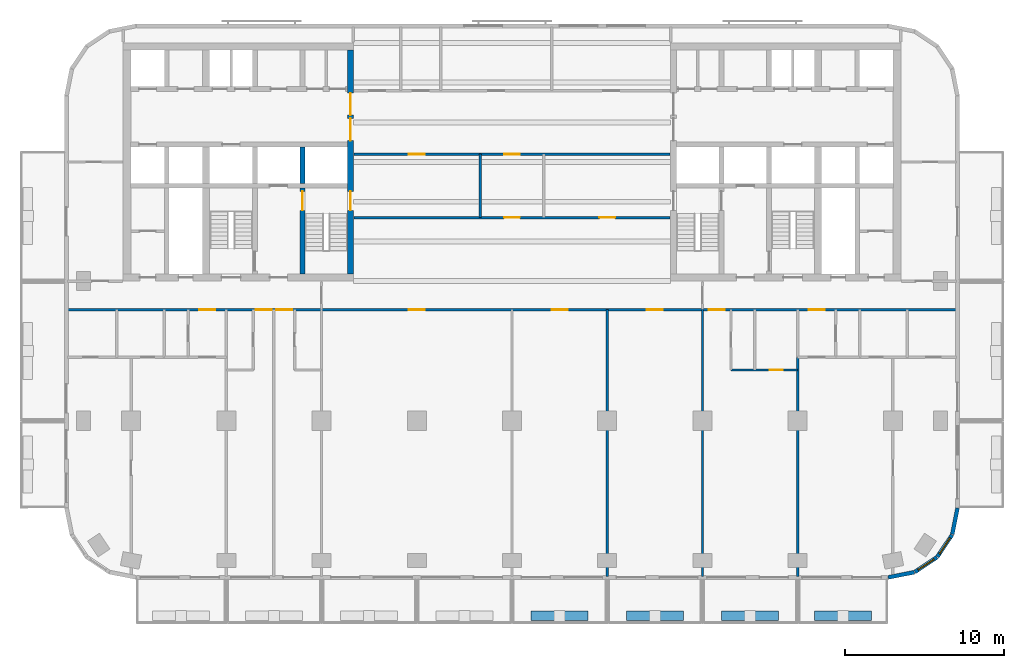
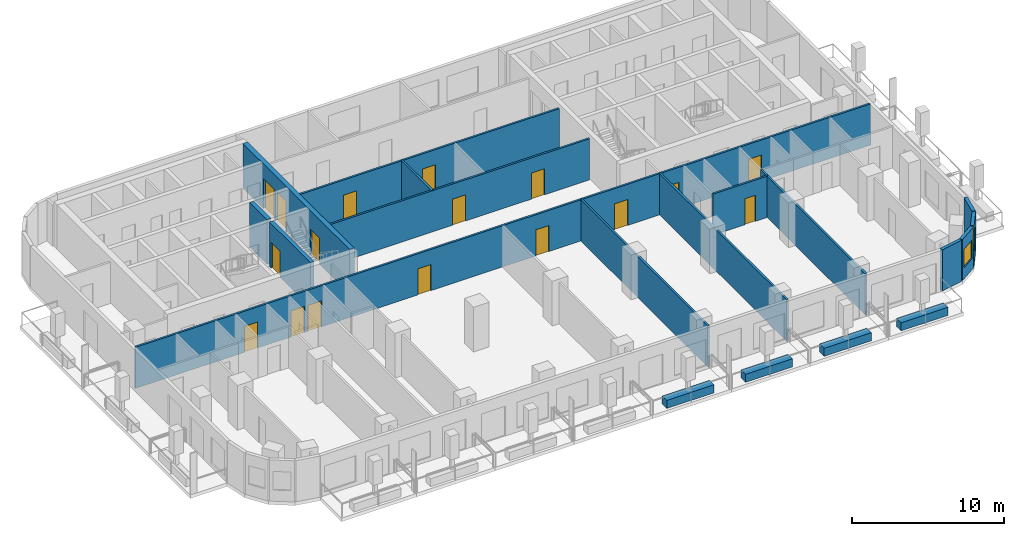
# One storey, part 4 of 11: 19 walls, 17 doors, 2 windows, 19 openings.
"""IFC4 building model written with IfcOpenShell, lengths in metres."""

from ifc_helpers import new_model, si_unit, direction, frame, frame_2d, origin, place, context, subcontext, project, spatial, rectangle, extrude, material, layer, layer_set, type_object, element, fill, save


model = new_model("IFC4")

# Units and contexts
model_context = context("Model", 3, precision=1e-05, world=origin(), true_north=direction((0.0, 1.0)))
body_context = subcontext(model_context, "Body", "Model", "MODEL_VIEW")
ifc_project = project(units=[si_unit("LENGTHUNIT", "METRE"), si_unit("AREAUNIT", "SQUARE_METRE"), si_unit("VOLUMEUNIT", "CUBIC_METRE"), si_unit("PLANEANGLEUNIT", "RADIAN"), si_unit("MASSUNIT", "GRAM", prefix="KILO")], contexts=[model_context])

# Site, building, storey
site_placement = place(None, origin())
site = spatial("IfcSite", under=ifc_project, at=site_placement, CompositionType="ELEMENT")
building_placement = place(site_placement, origin())
building = spatial("IfcBuilding", under=site, at=building_placement, Name="Torana Hotel and Residences", CompositionType="ELEMENT")
storey_placement = place(building_placement, frame((0.0, 0.0, 116.39990234375)))
storey = spatial("IfcBuildingStorey", under=building, at=storey_placement, Name="L29", CompositionType="ELEMENT", Elevation=116.39990234375)

# Wall
ifc_material_1 = material(Name="Concrete C70/85", Category="concrete")
ifc_layer_1 = layer(ifc_material_1, 0.300048828125)
ifc_layer_set_1 = layer_set([ifc_layer_1], Name="CORE WALL 300 C70/85")
wall_type_1 = type_object("IfcWallType", Name="CORE WALL 300 C70/85", PredefinedType="SHEAR", material=ifc_layer_set_1)
wall_1_placement = place(storey_placement, frame((-13.199951171875, -8.85009765625, 0.0), z_axis=(0.0, 0.0, 1.0), x_axis=(0.0, 1.0, 0.0)))
element("IfcWall", 1, at=wall_1_placement, inside=storey, type_object=wall_type_1, Name="Core wall W x3.05-S", PredefinedType="SHEAR", context=body_context, shape_type="SweptSolid", body=[
    extrude(rectangle(XDim=2.300048828125, YDim=0.300048828125, at=frame_2d((1.14990234375, 0.0))), origin(), (0.0, 0.0, 1.0), 3.60009765625),
])

# Wall, opening, door
wall_2_placement = place(storey_placement, frame((-13.199951171875, -14.550048828125, 0.0), z_axis=(0.0, 0.0, 1.0), x_axis=(0.0, 1.0, 0.0)))
wall_2 = element("IfcWall", 2, at=wall_2_placement, inside=storey, type_object=wall_type_1, Name="Core wall W x3.05-band", PredefinedType="SHEAR", context=body_context, shape_type="SweptSolid", body=[
    extrude(rectangle(XDim=5.400146484375, YDim=0.300048828125, at=frame_2d((2.7001953125, 0.0))), origin(), (0.0, 0.0, 1.0), 3.60009765625),
])
opening_1_placement = place(wall_2_placement, frame((4.0, 0.0, 0.0)))
opening_1 = element("IfcOpeningElement", 3, at=opening_1_placement, cuts=wall_2, Name="Opening L29-14", PredefinedType="OPENING", context=body_context, shape_type="SweptSolid", body=[
    extrude(rectangle(XDim=1.199951171875, YDim=2.10009765625, at=frame_2d((0.60009765625, 1.050048828125))), frame((0.0, 0.159912109375, 0.0), z_axis=(0.0, -1.0, 0.0), x_axis=(1.0, 0.0, 0.0)), (0.0, 0.0, 1.0), 0.320068359375),
])
ifc_material_2 = material(Name="Steel S235", Category="steel")
door_type_1 = type_object("IfcDoorType", Name="STAIR FIRE DOOR D3 1200x2100", OperationType="SINGLE_SWING_LEFT", PredefinedType="DOOR", material=ifc_material_2)
door_1_placement = place(opening_1_placement, frame((0.60009765625, 0.0, 0.0), z_axis=(0.0, 0.0, 1.0), x_axis=(-1.0, 0.0, 0.0)))
door_1 = element("IfcDoor", 4, at=door_1_placement, inside=storey, type_object=door_type_1, Name="Stair-A-lobby door L29", OperationType="SINGLE_SWING_RIGHT", OverallHeight=2.10009765625, OverallWidth=1.199951171875, PredefinedType="DOOR", context=body_context, shape_type="SweptSolid", body=[
    extrude(rectangle(XDim=1.199951171875, YDim=2.10009765625, at=frame_2d((0.0, 1.050048828125))), frame((0.0, -0.02490234375, 0.0), z_axis=(0.0, 1.0, 0.0), x_axis=(-1.0, 0.0, 0.0)), (0.0, 0.0, 1.0), 0.050048828125),
])
fill(opening_1, door_1)

# Wall, openings, doors
ifc_material_3 = material(Name="Concrete C70/85", Category="concrete")
ifc_layer_2 = layer(ifc_material_3, 0.35009765625)
ifc_layer_set_2 = layer_set([ifc_layer_2], Name="CORE WALL 350 C70/85")
wall_type_2 = type_object("IfcWallType", Name="CORE WALL 350 C70/85", PredefinedType="SHEAR", material=ifc_layer_set_2)
wall_3_placement = place(storey_placement, frame((-10.175048828125, -14.550048828125, 0.0), z_axis=(0.0, 0.0, 1.0), x_axis=(0.0, 1.0, 0.0)))
wall_3 = element("IfcWall", 5, at=wall_3_placement, inside=storey, type_object=wall_type_2, Name="Core wall W arch", PredefinedType="SHEAR", context=body_context, shape_type="SweptSolid", body=[
    extrude(rectangle(XDim=14.10009765625, YDim=0.35009765625, at=frame_2d((7.050048828125, 0.0))), origin(), (0.0, 0.0, 1.0), 3.60009765625),
])
opening_2_placement = place(wall_3_placement, frame((8.39990234375, 0.0, 0.0)))
opening_2 = element("IfcOpeningElement", 6, at=opening_2_placement, cuts=wall_3, Name="Opening L29-01", PredefinedType="OPENING", context=body_context, shape_type="SweptSolid", body=[
    extrude(rectangle(XDim=1.39990234375, YDim=2.39990234375, at=frame_2d((0.699951171875, 1.199951171875))), frame((0.0, 0.18505859375, 0.0), z_axis=(0.0, -1.0, 0.0), x_axis=(1.0, 0.0, 0.0)), (0.0, 0.0, 1.0), 0.3701171875),
])
opening_3_placement = place(wall_3_placement, frame((10.0, 0.0, 0.0)))
opening_3 = element("IfcOpeningElement", 7, at=opening_3_placement, cuts=wall_3, Name="Opening L29-02", PredefinedType="OPENING", context=body_context, shape_type="SweptSolid", body=[
    extrude(rectangle(XDim=1.39990234375, YDim=2.39990234375, at=frame_2d((0.699951171875, 1.199951171875))), frame((0.0, 0.18505859375, 0.0), z_axis=(0.0, -1.0, 0.0), x_axis=(1.0, 0.0, 0.0)), (0.0, 0.0, 1.0), 0.3701171875),
])
opening_4_placement = place(wall_3_placement, frame((4.0, 0.0, 0.0)))
opening_4 = element("IfcOpeningElement", 8, at=opening_4_placement, cuts=wall_3, Name="Opening L29-03", PredefinedType="OPENING", context=body_context, shape_type="SweptSolid", body=[
    extrude(rectangle(XDim=1.199951171875, YDim=2.10009765625, at=frame_2d((0.60009765625, 1.050048828125))), frame((0.0, 0.18505859375, 0.0), z_axis=(0.0, -1.0, 0.0), x_axis=(1.0, 0.0, 0.0)), (0.0, 0.0, 1.0), 0.3701171875),
])
ifc_material_4 = material(Name="Steel S235", Category="steel")
door_type_2 = type_object("IfcDoorType", Name="LOBBY FIRE DOOR D4 1400x2400", OperationType="DOUBLE_DOOR_SINGLE_SWING", PredefinedType="DOOR", material=ifc_material_4)
door_2_placement = place(opening_2_placement, origin())
door_2 = element("IfcDoor", 9, at=door_2_placement, inside=storey, type_object=door_type_2, Name="Lobby-1 door L29", OperationType="DOUBLE_DOOR_SINGLE_SWING", OverallHeight=2.39990234375, OverallWidth=1.39990234375, PredefinedType="DOOR", context=body_context, shape_type="SweptSolid", body=[
    extrude(rectangle(XDim=1.39990234375, YDim=2.39990234375, at=frame_2d((0.699951171875, 1.199951171875))), frame((0.0, 0.02490234375, 0.0), z_axis=(0.0, -1.0, 0.0), x_axis=(1.0, 0.0, 0.0)), (0.0, 0.0, 1.0), 0.050048828125),
])
fill(opening_2, door_2)
door_3_placement = place(opening_3_placement, origin())
door_3 = element("IfcDoor", 10, at=door_3_placement, inside=storey, type_object=door_type_2, Name="Lobby-2 door L29", OperationType="DOUBLE_DOOR_SINGLE_SWING", OverallHeight=2.39990234375, OverallWidth=1.39990234375, PredefinedType="DOOR", context=body_context, shape_type="SweptSolid", body=[
    extrude(rectangle(XDim=1.39990234375, YDim=2.39990234375, at=frame_2d((0.699951171875, 1.199951171875))), frame((0.0, 0.02490234375, 0.0), z_axis=(0.0, -1.0, 0.0), x_axis=(1.0, 0.0, 0.0)), (0.0, 0.0, 1.0), 0.050048828125),
])
fill(opening_3, door_3)
door_4_placement = place(opening_4_placement, origin())
door_4 = element("IfcDoor", 11, at=door_4_placement, inside=storey, type_object=door_type_1, Name="Stair-A door L29", OperationType="SINGLE_SWING_LEFT", OverallHeight=2.10009765625, OverallWidth=1.199951171875, PredefinedType="DOOR", context=body_context, shape_type="SweptSolid", body=[
    extrude(rectangle(XDim=1.199951171875, YDim=2.10009765625, at=frame_2d((0.60009765625, 1.050048828125))), frame((0.0, 0.02490234375, 0.0), z_axis=(0.0, -1.0, 0.0), x_axis=(1.0, 0.0, 0.0)), (0.0, 0.0, 1.0), 0.050048828125),
])
fill(opening_4, door_4)

# Wall
ifc_material_5 = material(Name="Black aluminium composite panel", Category="aluminium")
ifc_layer_3 = layer(ifc_material_5, 0.00390625, Name="Cladding", Category="cladding")
ifc_material_6 = material(Name="Ventilated air cavity")
ifc_layer_4 = layer(ifc_material_6, 0.0400390625, Name="Ventilated cavity", Category="cavity")
ifc_material_7 = material(Name="Mineral wool insulation")
ifc_layer_5 = layer(ifc_material_7, 0.090087890625, Name="Insulation", Category="insulation")
ifc_material_8 = material(Name="Steel S280GD", Category="steel")
ifc_layer_6 = layer(ifc_material_8, 0.092041015625, Name="Steel stud frame", Category="structure")
ifc_material_9 = material(Name="Fire rated plasterboard")
ifc_layer_7 = layer(ifc_material_9, 0.011962890625, Name="Inner board", Category="finish")
ifc_layer_8 = layer(ifc_material_9, 0.011962890625, Name="Second board", Category="finish")
ifc_layer_set_3 = layer_set([ifc_layer_3, ifc_layer_4, ifc_layer_5, ifc_layer_6, ifc_layer_7, ifc_layer_8], Name="EW1 EXTERNAL WALL BLACK METAL CLAD 250")
wall_type_3 = type_object("IfcWallType", Name="EW1 EXTERNAL WALL BLACK METAL CLAD 250", PredefinedType="SOLIDWALL", material=ifc_layer_set_3)
wall_4_placement = place(storey_placement, frame((23.69970703125, -33.672607421875, 0.0), z_axis=(0.0, 0.0, 1.0), x_axis=(0.980775640221, 0.19513878023, 0.0)))
element("IfcWall", 12, at=wall_4_placement, inside=storey, type_object=wall_type_3, Name="External wall L29 e0.15", PredefinedType="SOLIDWALL", context=body_context, shape_type="SweptSolid", body=[
    extrude(rectangle(XDim=1.681396484375, YDim=0.25, at=frame_2d((0.8408203125, 0.0))), origin(), (0.0, 0.0, 1.0), 3.320068359375),
])

# Wall, opening, window
wall_5_placement = place(storey_placement, frame((25.39404296875, -33.325927734375, 0.0), z_axis=(0.0, 0.0, 1.0), x_axis=(0.831482937015, 0.55555029066, 0.0)))
wall_5 = element("IfcWall", 13, at=wall_5_placement, inside=storey, type_object=wall_type_3, Name="External wall L29 e0.16", PredefinedType="SOLIDWALL", context=body_context, shape_type="SweptSolid", body=[
    extrude(rectangle(XDim=1.65625, YDim=0.25, at=frame_2d((0.828125, 0.0))), origin(), (0.0, 0.0, 1.0), 3.320068359375),
])
opening_5_placement = place(wall_5_placement, frame((0.228271484375, 0.0, 0.89990234375)))
opening_5 = element("IfcOpeningElement", 14, at=opening_5_placement, cuts=wall_5, Name="Opening W5", PredefinedType="OPENING", context=body_context, shape_type="SweptSolid", body=[
    extrude(rectangle(XDim=1.199951171875, YDim=1.5, at=frame_2d((0.60009765625, 0.75))), frame((0.0, 0.135009765625, 0.0), z_axis=(0.0, -1.0, 0.0), x_axis=(1.0, 0.0, 0.0)), (0.0, 0.0, 1.0), 0.27001953125),
])
ifc_material_10 = material(Name="Dark glass in black aluminium frame", Category="aluminium")
window_type = type_object("IfcWindowType", Name="W5 CORNER FACET WINDOW 1200x1500", PartitioningType="SINGLE_PANEL", PredefinedType="WINDOW", material=ifc_material_10)
window_1_placement = place(opening_5_placement, origin())
window_1 = element("IfcWindow", 15, at=window_1_placement, inside=storey, type_object=window_type, Name="Window L29 e0.16", OverallHeight=1.5, OverallWidth=1.199951171875, PartitioningType="SINGLE_PANEL", PredefinedType="WINDOW", context=body_context, shape_type="SweptSolid", body=[
    extrude(rectangle(XDim=1.199951171875, YDim=1.5, at=frame_2d((0.60009765625, 0.75))), frame((0.0, 0.030029296875, 0.0), z_axis=(0.0, -1.0, 0.0), x_axis=(1.0, 0.0, 0.0)), (0.0, 0.0, 1.0), 0.06005859375),
])
fill(opening_5, window_1)

wall_6_placement = place(storey_placement, frame((26.8056640625, -32.37109375, 0.0), z_axis=(0.0, 0.0, 1.0), x_axis=(0.55555029066, 0.831482937015, 0.0)))
wall_6 = element("IfcWall", 16, at=wall_6_placement, inside=storey, type_object=wall_type_3, Name="External wall L29 e0.17", PredefinedType="SOLIDWALL", context=body_context, shape_type="SweptSolid", body=[
    extrude(rectangle(XDim=1.65625, YDim=0.25, at=frame_2d((0.828125, 0.0))), origin(), (0.0, 0.0, 1.0), 3.320068359375),
])
opening_6_placement = place(wall_6_placement, frame((0.228271484375, 0.0, 0.89990234375)))
opening_6 = element("IfcOpeningElement", 17, at=opening_6_placement, cuts=wall_6, Name="Opening W5", PredefinedType="OPENING", context=body_context, shape_type="SweptSolid", body=[
    extrude(rectangle(XDim=1.199951171875, YDim=1.5, at=frame_2d((0.60009765625, 0.75))), frame((0.0, 0.135009765625, 0.0), z_axis=(0.0, -1.0, 0.0), x_axis=(1.0, 0.0, 0.0)), (0.0, 0.0, 1.0), 0.27001953125),
])
window_2_placement = place(opening_6_placement, origin())
window_2 = element("IfcWindow", 18, at=window_2_placement, inside=storey, type_object=window_type, Name="Window L29 e0.17", OverallHeight=1.5, OverallWidth=1.199951171875, PartitioningType="SINGLE_PANEL", PredefinedType="WINDOW", context=body_context, shape_type="SweptSolid", body=[
    extrude(rectangle(XDim=1.199951171875, YDim=1.5, at=frame_2d((0.60009765625, 0.75))), frame((0.0, 0.030029296875, 0.0), z_axis=(0.0, -1.0, 0.0), x_axis=(1.0, 0.0, 0.0)), (0.0, 0.0, 1.0), 0.06005859375),
])
fill(opening_6, window_2)

# Walls
wall_7_placement = place(storey_placement, frame((27.74462890625, -30.948974609375, 0.0), z_axis=(0.0, 0.0, 1.0), x_axis=(0.194999110559, 0.980803419081, 0.0)))
element("IfcWall", 19, at=wall_7_placement, inside=storey, type_object=wall_type_3, Name="External wall L29 e0.18", PredefinedType="SOLIDWALL", context=body_context, shape_type="SweptSolid", body=[
    extrude(rectangle(XDim=1.681396484375, YDim=0.25, at=frame_2d((0.8408203125, 0.0))), origin(), (0.0, 0.0, 1.0), 3.320068359375),
])
ifc_material_11 = material(Name="Gypsum plaster")
ifc_layer_9 = layer(ifc_material_11, 0.014892578125, Name="Plaster", Category="finish")
ifc_material_12 = material(Name="Concrete blockwork", Category="masonry")
ifc_layer_10 = layer(ifc_material_12, 0.1201171875, Name="Blockwork", Category="structure")
ifc_layer_11 = layer(ifc_material_11, 0.014892578125, Name="Plaster", Category="finish")
ifc_layer_set_4 = layer_set([ifc_layer_9, ifc_layer_10, ifc_layer_11], Name="FIRE PARTITION 150 BLOCKWORK")
wall_type_4 = type_object("IfcWallType", Name="FIRE PARTITION 150 BLOCKWORK", PredefinedType="PARTITIONING", material=ifc_layer_set_4)
wall_8_placement = place(storey_placement, frame((-2.0, -11.0, 0.0), z_axis=(0.0, 0.0, 1.0), x_axis=(0.0, 1.0, 0.0)))
element("IfcWall", 20, at=wall_8_placement, inside=storey, type_object=wall_type_4, Name="Partition L29", PredefinedType="PARTITIONING", context=body_context, shape_type="SweptSolid", body=[
    extrude(rectangle(XDim=4.0, YDim=0.14990234375, at=frame_2d((2.0, 0.0))), origin(), (0.0, 0.0, 1.0), 3.320068359375),
])

# Wall, openings, doors
wall_9_placement = place(storey_placement, frame((-28.02001953125, -16.800048828125, 0.0), z_axis=(0.0, 0.0, 1.0), x_axis=(1.0, 0.0, 0.0)))
wall_9 = element("IfcWall", 21, at=wall_9_placement, inside=storey, type_object=wall_type_4, Name="Partition L29", PredefinedType="PARTITIONING", context=body_context, shape_type="SweptSolid", body=[
    extrude(rectangle(XDim=56.0400390625, YDim=0.14990234375, at=frame_2d((28.02001953125, 0.0))), origin(), (0.0, 0.0, 1.0), 3.320068359375),
])
opening_7_placement = place(wall_9_placement, frame((13.169921875, 0.0, 0.0)))
opening_7 = element("IfcOpeningElement", 22, at=opening_7_placement, cuts=wall_9, Name="Opening L29-34", PredefinedType="OPENING", context=body_context, shape_type="SweptSolid", body=[
    extrude(rectangle(XDim=1.0, YDim=2.10009765625, at=frame_2d((0.5, 1.050048828125))), frame((0.0, 0.0849609375, 0.0), z_axis=(0.0, -1.0, 0.0), x_axis=(1.0, 0.0, 0.0)), (0.0, 0.0, 1.0), 0.169921875),
])
opening_8_placement = place(wall_9_placement, frame((11.8701171875, 0.0, 0.0)))
opening_8 = element("IfcOpeningElement", 23, at=opening_8_placement, cuts=wall_9, Name="Opening L29-35", PredefinedType="OPENING", context=body_context, shape_type="SweptSolid", body=[
    extrude(rectangle(XDim=1.0, YDim=2.10009765625, at=frame_2d((0.5, 1.050048828125))), frame((0.0, 0.0849609375, 0.0), z_axis=(0.0, -1.0, 0.0), x_axis=(1.0, 0.0, 0.0)), (0.0, 0.0, 1.0), 0.169921875),
])
opening_9_placement = place(wall_9_placement, frame((8.320068359375, 0.0, 0.0)))
opening_9 = element("IfcOpeningElement", 24, at=opening_9_placement, cuts=wall_9, Name="Opening L29-36", PredefinedType="OPENING", context=body_context, shape_type="SweptSolid", body=[
    extrude(rectangle(XDim=1.0, YDim=2.10009765625, at=frame_2d((0.5, 1.050048828125))), frame((0.0, 0.0849609375, 0.0), z_axis=(0.0, -1.0, 0.0), x_axis=(1.0, 0.0, 0.0)), (0.0, 0.0, 1.0), 0.169921875),
])
opening_10_placement = place(wall_9_placement, frame((40.419921875, 0.0, 0.0)))
opening_10 = element("IfcOpeningElement", 25, at=opening_10_placement, cuts=wall_9, Name="Opening L29-39", PredefinedType="OPENING", context=body_context, shape_type="SweptSolid", body=[
    extrude(rectangle(XDim=1.0, YDim=2.10009765625, at=frame_2d((0.5, 1.050048828125))), frame((0.0, 0.0849609375, 0.0), z_axis=(0.0, -1.0, 0.0), x_axis=(1.0, 0.0, 0.0)), (0.0, 0.0, 1.0), 0.169921875),
])
opening_11_placement = place(wall_9_placement, frame((46.719970703125, 0.0, 0.0)))
opening_11 = element("IfcOpeningElement", 26, at=opening_11_placement, cuts=wall_9, Name="Opening L29-40", PredefinedType="OPENING", context=body_context, shape_type="SweptSolid", body=[
    extrude(rectangle(XDim=1.0, YDim=2.10009765625, at=frame_2d((0.5, 1.050048828125))), frame((0.0, 0.0849609375, 0.0), z_axis=(0.0, -1.0, 0.0), x_axis=(1.0, 0.0, 0.0)), (0.0, 0.0, 1.0), 0.169921875),
])
opening_12_placement = place(wall_9_placement, frame((21.52001953125, 0.0, 0.0)))
opening_12 = element("IfcOpeningElement", 27, at=opening_12_placement, cuts=wall_9, Name="Opening L29-43", PredefinedType="OPENING", context=body_context, shape_type="SweptSolid", body=[
    extrude(rectangle(XDim=1.0, YDim=2.10009765625, at=frame_2d((0.5, 1.050048828125))), frame((0.0, 0.0849609375, 0.0), z_axis=(0.0, -1.0, 0.0), x_axis=(1.0, 0.0, 0.0)), (0.0, 0.0, 1.0), 0.169921875),
])
opening_13_placement = place(wall_9_placement, frame((30.52001953125, 0.0, 0.0)))
opening_13 = element("IfcOpeningElement", 28, at=opening_13_placement, cuts=wall_9, Name="Opening L29-44", PredefinedType="OPENING", context=body_context, shape_type="SweptSolid", body=[
    extrude(rectangle(XDim=1.0, YDim=2.10009765625, at=frame_2d((0.5, 1.050048828125))), frame((0.0, 0.0849609375, 0.0), z_axis=(0.0, -1.0, 0.0), x_axis=(1.0, 0.0, 0.0)), (0.0, 0.0, 1.0), 0.169921875),
])
opening_14_placement = place(wall_9_placement, frame((36.52001953125, 0.0, 0.0)))
opening_14 = element("IfcOpeningElement", 29, at=opening_14_placement, cuts=wall_9, Name="Opening L29-45", PredefinedType="OPENING", context=body_context, shape_type="SweptSolid", body=[
    extrude(rectangle(XDim=1.0, YDim=2.10009765625, at=frame_2d((0.5, 1.050048828125))), frame((0.0, 0.0849609375, 0.0), z_axis=(0.0, -1.0, 0.0), x_axis=(1.0, 0.0, 0.0)), (0.0, 0.0, 1.0), 0.169921875),
])
ifc_material_13 = material(Name="Steel S235", Category="steel")
door_type_3 = type_object("IfcDoorType", Name="ENTRY FIRE DOOR D6 1000x2100", OperationType="SINGLE_SWING_LEFT", PredefinedType="DOOR", material=ifc_material_13)
door_5_placement = place(opening_7_placement, frame((0.5, 0.0, 0.0), z_axis=(0.0, 0.0, 1.0), x_axis=(-1.0, 0.0, 0.0)))
door_5 = element("IfcDoor", 30, at=door_5_placement, inside=storey, type_object=door_type_3, Name="Door L29", OperationType="SINGLE_SWING_LEFT", OverallHeight=2.10009765625, OverallWidth=1.0, PredefinedType="DOOR", context=body_context, shape_type="SweptSolid", body=[
    extrude(rectangle(XDim=1.0, YDim=2.10009765625, at=frame_2d((0.0, 1.050048828125))), frame((0.0, -0.02490234375, 0.0), z_axis=(0.0, 1.0, 0.0), x_axis=(-1.0, 0.0, 0.0)), (0.0, 0.0, 1.0), 0.050048828125),
])
fill(opening_7, door_5)
door_6_placement = place(opening_8_placement, frame((0.5, 0.0, 0.0), z_axis=(0.0, 0.0, 1.0), x_axis=(-1.0, 0.0, 0.0)))
door_6 = element("IfcDoor", 31, at=door_6_placement, inside=storey, type_object=door_type_3, Name="Door L29", OperationType="SINGLE_SWING_LEFT", OverallHeight=2.10009765625, OverallWidth=1.0, PredefinedType="DOOR", context=body_context, shape_type="SweptSolid", body=[
    extrude(rectangle(XDim=1.0, YDim=2.10009765625, at=frame_2d((0.0, 1.050048828125))), frame((0.0, -0.02490234375, 0.0), z_axis=(0.0, 1.0, 0.0), x_axis=(-1.0, 0.0, 0.0)), (0.0, 0.0, 1.0), 0.050048828125),
])
fill(opening_8, door_6)
door_7_placement = place(opening_9_placement, origin())
door_7 = element("IfcDoor", 32, at=door_7_placement, inside=storey, type_object=door_type_3, Name="Door L29", OperationType="SINGLE_SWING_RIGHT", OverallHeight=2.10009765625, OverallWidth=1.0, PredefinedType="DOOR", context=body_context, shape_type="SweptSolid", body=[
    extrude(rectangle(XDim=1.0, YDim=2.10009765625, at=frame_2d((0.5, 1.050048828125))), frame((0.0, 0.02490234375, 0.0), z_axis=(0.0, -1.0, 0.0), x_axis=(1.0, 0.0, 0.0)), (0.0, 0.0, 1.0), 0.050048828125),
])
fill(opening_9, door_7)
door_8_placement = place(opening_10_placement, frame((0.5, 0.0, 0.0), z_axis=(0.0, 0.0, 1.0), x_axis=(-1.0, 0.0, 0.0)))
door_8 = element("IfcDoor", 33, at=door_8_placement, inside=storey, type_object=door_type_3, Name="Door L29", OperationType="SINGLE_SWING_LEFT", OverallHeight=2.10009765625, OverallWidth=1.0, PredefinedType="DOOR", context=body_context, shape_type="SweptSolid", body=[
    extrude(rectangle(XDim=1.0, YDim=2.10009765625, at=frame_2d((0.0, 1.050048828125))), frame((0.0, -0.02490234375, 0.0), z_axis=(0.0, 1.0, 0.0), x_axis=(-1.0, 0.0, 0.0)), (0.0, 0.0, 1.0), 0.050048828125),
])
fill(opening_10, door_8)
door_9_placement = place(opening_11_placement, origin())
door_9 = element("IfcDoor", 34, at=door_9_placement, inside=storey, type_object=door_type_3, Name="Door L29", OperationType="SINGLE_SWING_RIGHT", OverallHeight=2.10009765625, OverallWidth=1.0, PredefinedType="DOOR", context=body_context, shape_type="SweptSolid", body=[
    extrude(rectangle(XDim=1.0, YDim=2.10009765625, at=frame_2d((0.5, 1.050048828125))), frame((0.0, 0.02490234375, 0.0), z_axis=(0.0, -1.0, 0.0), x_axis=(1.0, 0.0, 0.0)), (0.0, 0.0, 1.0), 0.050048828125),
])
fill(opening_11, door_9)
door_10_placement = place(opening_12_placement, frame((0.5, 0.0, 0.0), z_axis=(0.0, 0.0, 1.0), x_axis=(-1.0, 0.0, 0.0)))
door_10 = element("IfcDoor", 35, at=door_10_placement, inside=storey, type_object=door_type_3, Name="Door L29", OperationType="SINGLE_SWING_LEFT", OverallHeight=2.10009765625, OverallWidth=1.0, PredefinedType="DOOR", context=body_context, shape_type="SweptSolid", body=[
    extrude(rectangle(XDim=1.0, YDim=2.10009765625, at=frame_2d((0.0, 1.050048828125))), frame((0.0, -0.02490234375, 0.0), z_axis=(0.0, 1.0, 0.0), x_axis=(-1.0, 0.0, 0.0)), (0.0, 0.0, 1.0), 0.050048828125),
])
fill(opening_12, door_10)
door_11_placement = place(opening_13_placement, frame((0.5, 0.0, 0.0), z_axis=(0.0, 0.0, 1.0), x_axis=(-1.0, 0.0, 0.0)))
door_11 = element("IfcDoor", 36, at=door_11_placement, inside=storey, type_object=door_type_3, Name="Door L29", OperationType="SINGLE_SWING_LEFT", OverallHeight=2.10009765625, OverallWidth=1.0, PredefinedType="DOOR", context=body_context, shape_type="SweptSolid", body=[
    extrude(rectangle(XDim=1.0, YDim=2.10009765625, at=frame_2d((0.0, 1.050048828125))), frame((0.0, -0.02490234375, 0.0), z_axis=(0.0, 1.0, 0.0), x_axis=(-1.0, 0.0, 0.0)), (0.0, 0.0, 1.0), 0.050048828125),
])
fill(opening_13, door_11)
door_12_placement = place(opening_14_placement, frame((0.5, 0.0, 0.0), z_axis=(0.0, 0.0, 1.0), x_axis=(-1.0, 0.0, 0.0)))
door_12 = element("IfcDoor", 37, at=door_12_placement, inside=storey, type_object=door_type_3, Name="Door L29", OperationType="SINGLE_SWING_LEFT", OverallHeight=2.10009765625, OverallWidth=1.0, PredefinedType="DOOR", context=body_context, shape_type="SweptSolid", body=[
    extrude(rectangle(XDim=1.0, YDim=2.10009765625, at=frame_2d((0.0, 1.050048828125))), frame((0.0, -0.02490234375, 0.0), z_axis=(0.0, 1.0, 0.0), x_axis=(-1.0, 0.0, 0.0)), (0.0, 0.0, 1.0), 0.050048828125),
])
fill(opening_14, door_12)

wall_10_placement = place(storey_placement, frame((-9.949951171875, -11.0, 0.0), z_axis=(0.0, 0.0, 1.0), x_axis=(1.0, 0.0, 0.0)))
wall_10 = element("IfcWall", 38, at=wall_10_placement, inside=storey, type_object=wall_type_4, Name="Partition L29", PredefinedType="PARTITIONING", context=body_context, shape_type="SweptSolid", body=[
    extrude(rectangle(XDim=19.89990234375, YDim=0.14990234375, at=frame_2d((9.949951171875, 0.0))), origin(), (0.0, 0.0, 1.0), 3.320068359375),
])
opening_15_placement = place(wall_10_placement, frame((9.449951171875, 0.0, 0.0)))
opening_15 = element("IfcOpeningElement", 39, at=opening_15_placement, cuts=wall_10, Name="Opening L29-42", PredefinedType="OPENING", context=body_context, shape_type="SweptSolid", body=[
    extrude(rectangle(XDim=1.0, YDim=2.10009765625, at=frame_2d((0.5, 1.050048828125))), frame((0.0, 0.0849609375, 0.0), z_axis=(0.0, -1.0, 0.0), x_axis=(1.0, 0.0, 0.0)), (0.0, 0.0, 1.0), 0.169921875),
])
opening_16_placement = place(wall_10_placement, frame((15.449951171875, 0.0, 0.0)))
opening_16 = element("IfcOpeningElement", 40, at=opening_16_placement, cuts=wall_10, Name="Opening L29-46", PredefinedType="OPENING", context=body_context, shape_type="SweptSolid", body=[
    extrude(rectangle(XDim=1.0, YDim=2.10009765625, at=frame_2d((0.5, 1.050048828125))), frame((0.0, 0.0849609375, 0.0), z_axis=(0.0, -1.0, 0.0), x_axis=(1.0, 0.0, 0.0)), (0.0, 0.0, 1.0), 0.169921875),
])
door_13_placement = place(opening_15_placement, origin())
door_13 = element("IfcDoor", 41, at=door_13_placement, inside=storey, type_object=door_type_3, Name="Door L29", OperationType="SINGLE_SWING_RIGHT", OverallHeight=2.10009765625, OverallWidth=1.0, PredefinedType="DOOR", context=body_context, shape_type="SweptSolid", body=[
    extrude(rectangle(XDim=1.0, YDim=2.10009765625, at=frame_2d((0.5, 1.050048828125))), frame((0.0, 0.02490234375, 0.0), z_axis=(0.0, -1.0, 0.0), x_axis=(1.0, 0.0, 0.0)), (0.0, 0.0, 1.0), 0.050048828125),
])
fill(opening_15, door_13)
door_14_placement = place(opening_16_placement, origin())
door_14 = element("IfcDoor", 42, at=door_14_placement, inside=storey, type_object=door_type_3, Name="Door L29", OperationType="SINGLE_SWING_RIGHT", OverallHeight=2.10009765625, OverallWidth=1.0, PredefinedType="DOOR", context=body_context, shape_type="SweptSolid", body=[
    extrude(rectangle(XDim=1.0, YDim=2.10009765625, at=frame_2d((0.5, 1.050048828125))), frame((0.0, 0.02490234375, 0.0), z_axis=(0.0, -1.0, 0.0), x_axis=(1.0, 0.0, 0.0)), (0.0, 0.0, 1.0), 0.050048828125),
])
fill(opening_16, door_14)

wall_11_placement = place(storey_placement, frame((-9.949951171875, -7.0, 0.0), z_axis=(0.0, 0.0, 1.0), x_axis=(1.0, 0.0, 0.0)))
wall_11 = element("IfcWall", 43, at=wall_11_placement, inside=storey, type_object=wall_type_4, Name="Partition L29", PredefinedType="PARTITIONING", context=body_context, shape_type="SweptSolid", body=[
    extrude(rectangle(XDim=19.89990234375, YDim=0.14990234375, at=frame_2d((9.949951171875, 0.0))), origin(), (0.0, 0.0, 1.0), 3.320068359375),
])
opening_17_placement = place(wall_11_placement, frame((9.449951171875, 0.0, 0.0)))
opening_17 = element("IfcOpeningElement", 44, at=opening_17_placement, cuts=wall_11, Name="Opening L29-47", PredefinedType="OPENING", context=body_context, shape_type="SweptSolid", body=[
    extrude(rectangle(XDim=1.0, YDim=2.10009765625, at=frame_2d((0.5, 1.050048828125))), frame((0.0, 0.0849609375, 0.0), z_axis=(0.0, -1.0, 0.0), x_axis=(1.0, 0.0, 0.0)), (0.0, 0.0, 1.0), 0.169921875),
])
opening_18_placement = place(wall_11_placement, frame((3.449951171875, 0.0, 0.0)))
opening_18 = element("IfcOpeningElement", 45, at=opening_18_placement, cuts=wall_11, Name="Opening L29-48", PredefinedType="OPENING", context=body_context, shape_type="SweptSolid", body=[
    extrude(rectangle(XDim=1.0, YDim=2.10009765625, at=frame_2d((0.5, 1.050048828125))), frame((0.0, 0.0849609375, 0.0), z_axis=(0.0, -1.0, 0.0), x_axis=(1.0, 0.0, 0.0)), (0.0, 0.0, 1.0), 0.169921875),
])
door_15_placement = place(opening_17_placement, origin())
door_15 = element("IfcDoor", 46, at=door_15_placement, inside=storey, type_object=door_type_3, Name="Door L29", OperationType="SINGLE_SWING_RIGHT", OverallHeight=2.10009765625, OverallWidth=1.0, PredefinedType="DOOR", context=body_context, shape_type="SweptSolid", body=[
    extrude(rectangle(XDim=1.0, YDim=2.10009765625, at=frame_2d((0.5, 1.050048828125))), frame((0.0, 0.02490234375, 0.0), z_axis=(0.0, -1.0, 0.0), x_axis=(1.0, 0.0, 0.0)), (0.0, 0.0, 1.0), 0.050048828125),
])
fill(opening_17, door_15)
door_16_placement = place(opening_18_placement, frame((0.5, 0.0, 0.0), z_axis=(0.0, 0.0, 1.0), x_axis=(-1.0, 0.0, 0.0)))
door_16 = element("IfcDoor", 47, at=door_16_placement, inside=storey, type_object=door_type_3, Name="Door L29", OperationType="SINGLE_SWING_LEFT", OverallHeight=2.10009765625, OverallWidth=1.0, PredefinedType="DOOR", context=body_context, shape_type="SweptSolid", body=[
    extrude(rectangle(XDim=1.0, YDim=2.10009765625, at=frame_2d((0.0, 1.050048828125))), frame((0.0, -0.02490234375, 0.0), z_axis=(0.0, 1.0, 0.0), x_axis=(-1.0, 0.0, 0.0)), (0.0, 0.0, 1.0), 0.050048828125),
])
fill(opening_18, door_16)

# Walls
ifc_material_14 = material(Name="Gypsum plasterboard")
ifc_layer_12 = layer(ifc_material_14, 0.012451171875, Name="Plasterboard", Category="finish")
ifc_layer_13 = layer(ifc_material_14, 0.012451171875, Name="Plasterboard", Category="finish")
ifc_layer_14 = layer(ifc_material_8, 0.10009765625, Name="Steel studs with mineral wool", Category="insulation")
ifc_layer_15 = layer(ifc_material_14, 0.012451171875, Name="Plasterboard", Category="finish")
ifc_layer_16 = layer(ifc_material_14, 0.012451171875, Name="Plasterboard", Category="finish")
ifc_layer_set_5 = layer_set([ifc_layer_12, ifc_layer_13, ifc_layer_14, ifc_layer_15, ifc_layer_16], Name="PARTITION 150 PLASTERBOARD")
wall_type_5 = type_object("IfcWallType", Name="PARTITION 150 PLASTERBOARD", PredefinedType="PARTITIONING", material=ifc_layer_set_5)
wall_12_placement = place(storey_placement, frame((18.0, -33.6201171875, 0.0), z_axis=(0.0, 0.0, 1.0), x_axis=(0.0, 1.0, 0.0)))
element("IfcWall", 48, at=wall_12_placement, inside=storey, type_object=wall_type_5, Name="Partition L29", PredefinedType="PARTITIONING", context=body_context, shape_type="SweptSolid", body=[
    extrude(rectangle(XDim=13.820068359375, YDim=0.14990234375, at=frame_2d((6.91015625, 0.0))), origin(), (0.0, 0.0, 1.0), 3.320068359375),
])
for number, where, z_axis, x_axis, name in (
    (49, (12.0, -33.6201171875, 0.0), (0.0, 0.0, 1.0), (0.0, 1.0, 0.0), "Partition L29"),
    (50, (6.0, -33.6201171875, 0.0), (0.0, 0.0, 1.0), (0.0, 1.0, 0.0), "Partition L29"),
):
    element("IfcWall", number, at=place(storey_placement, frame(where, z_axis=z_axis, x_axis=x_axis)), inside=storey, type_object=wall_type_5, Name=name, PredefinedType="PARTITIONING", context=body_context, shape_type="SweptSolid", body=[
        extrude(rectangle(XDim=16.820068359375, YDim=0.14990234375, at=frame_2d((8.41015625, 0.0))), origin(), (0.0, 0.0, 1.0), 3.320068359375),
    ])

# Wall, opening, door
wall_13_placement = place(storey_placement, frame((13.800048828125, -20.60009765625, 0.0), z_axis=(0.0, 0.0, 1.0), x_axis=(1.0, 0.0, 0.0)))
wall_13 = element("IfcWall", 51, at=wall_13_placement, inside=storey, type_object=wall_type_5, Name="Partition L29", PredefinedType="PARTITIONING", context=body_context, shape_type="SweptSolid", body=[
    extrude(rectangle(XDim=4.199951171875, YDim=0.14990234375, at=frame_2d((2.10009765625, 0.0))), origin(), (0.0, 0.0, 1.0), 3.320068359375),
])
opening_19_placement = place(wall_13_placement, frame((2.449951171875, 0.0, 0.0)))
opening_19 = element("IfcOpeningElement", 52, at=opening_19_placement, cuts=wall_13, Name="Opening L29-56", PredefinedType="OPENING", context=body_context, shape_type="SweptSolid", body=[
    extrude(rectangle(XDim=0.800048828125, YDim=2.10009765625, at=frame_2d((0.39990234375, 1.050048828125))), frame((0.0, 0.0849609375, 0.0), z_axis=(0.0, -1.0, 0.0), x_axis=(1.0, 0.0, 0.0)), (0.0, 0.0, 1.0), 0.169921875),
])
ifc_material_15 = material(Name="Timber door, painted", Category="wood")
door_type_4 = type_object("IfcDoorType", Name="BATH DOOR D13 800x2100", OperationType="SINGLE_SWING_LEFT", PredefinedType="DOOR", material=ifc_material_15)
door_17_placement = place(opening_19_placement, origin())
door_17 = element("IfcDoor", 53, at=door_17_placement, inside=storey, type_object=door_type_4, Name="Door L29", OperationType="SINGLE_SWING_RIGHT", OverallHeight=2.10009765625, OverallWidth=0.800048828125, PredefinedType="DOOR", context=body_context, shape_type="SweptSolid", body=[
    extrude(rectangle(XDim=0.800048828125, YDim=2.10009765625, at=frame_2d((0.39990234375, 1.050048828125))), frame((0.0, 0.02490234375, 0.0), z_axis=(0.0, -1.0, 0.0), x_axis=(1.0, 0.0, 0.0)), (0.0, 0.0, 1.0), 0.050048828125),
])
fill(opening_19, door_17)

# Walls
ifc_material_16 = material(Name="Concrete C40/50 precast", Category="concrete")
ifc_layer_17 = layer(ifc_material_16, 0.10009765625, Name="Planter shell", Category="structure")
ifc_material_17 = material(Name="Root resistant membrane")
ifc_layer_18 = layer(ifc_material_17, 0.00390625, Name="Waterproofing membrane", Category="membrane")
ifc_material_18 = material(Name="Drainage board with filter fleece")
ifc_layer_19 = layer(ifc_material_18, 0.02001953125, Name="Drainage board", Category="drainage")
ifc_material_19 = material(Name="Growing medium")
ifc_layer_20 = layer(ifc_material_19, 0.47607421875, Name="Planting substrate", Category="soil")
ifc_layer_set_6 = layer_set([ifc_layer_17, ifc_layer_18, ifc_layer_19, ifc_layer_20], Name="PL1 BALCONY PLANTER 600")
wall_type_6 = type_object("IfcWallType", Name="PL1 BALCONY PLANTER 600", PredefinedType="USERDEFINED", material=ifc_layer_set_6)
for number, where, z_axis, x_axis, name in (
    (54, (4.800048828125, -36.10009765625, 0.0), (0.0, 0.0, 1.0), (-1.0, 0.0, 0.0), "Planter 05"),
    (55, (10.800048828125, -36.10009765625, 0.0), (0.0, 0.0, 1.0), (-1.0, 0.0, 0.0), "Planter 06"),
    (56, (16.800048828125, -36.10009765625, 0.0), (0.0, 0.0, 1.0), (-1.0, 0.0, 0.0), "Planter 07"),
):
    element("IfcWall", number, at=place(storey_placement, frame(where, z_axis=z_axis, x_axis=x_axis)), inside=storey, type_object=wall_type_6, Name=name, ObjectType="PLANTER", PredefinedType="USERDEFINED", context=body_context, shape_type="SweptSolid", body=[
        extrude(rectangle(XDim=3.60009765625, YDim=0.60009765625, at=frame_2d((1.800048828125, 0.0))), origin(), (0.0, 0.0, 1.0), 0.650146484375),
    ])
wall_14_placement = place(storey_placement, frame((22.64990234375, -36.10009765625, 0.0), z_axis=(0.0, 0.0, 1.0), x_axis=(-1.0, 0.0, 0.0)))
element("IfcWall", 57, at=wall_14_placement, inside=storey, type_object=wall_type_6, Name="Planter 08", ObjectType="PLANTER", PredefinedType="USERDEFINED", context=body_context, shape_type="SweptSolid", body=[
    extrude(rectangle(XDim=3.599853515625, YDim=0.60009765625, at=frame_2d((1.7998046875, 0.0))), origin(), (0.0, 0.0, 1.0), 0.650146484375),
])

save(model, "model.ifc")
